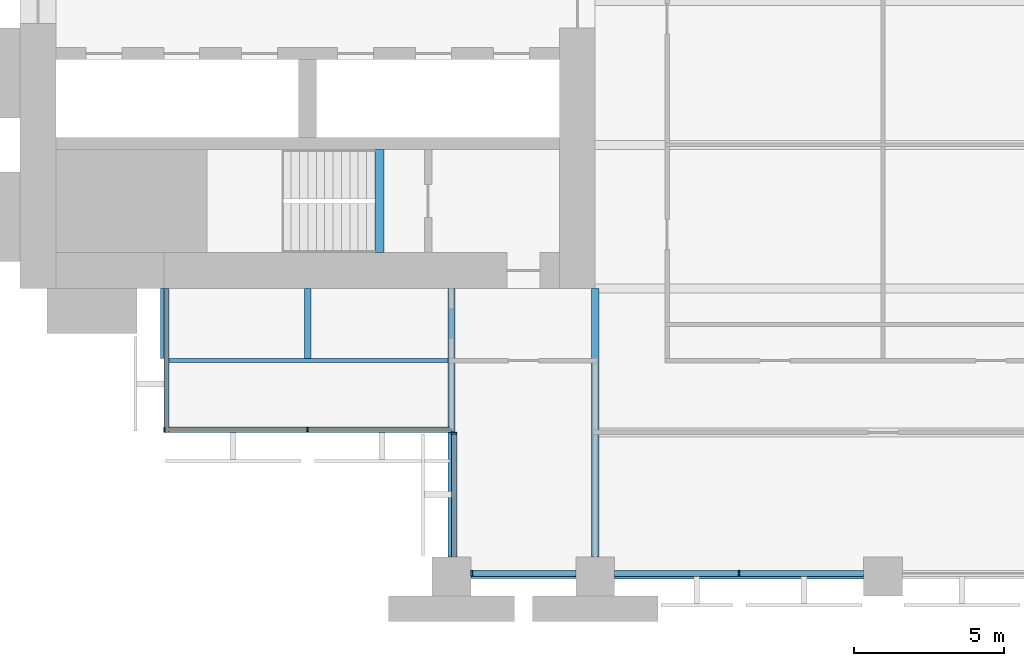
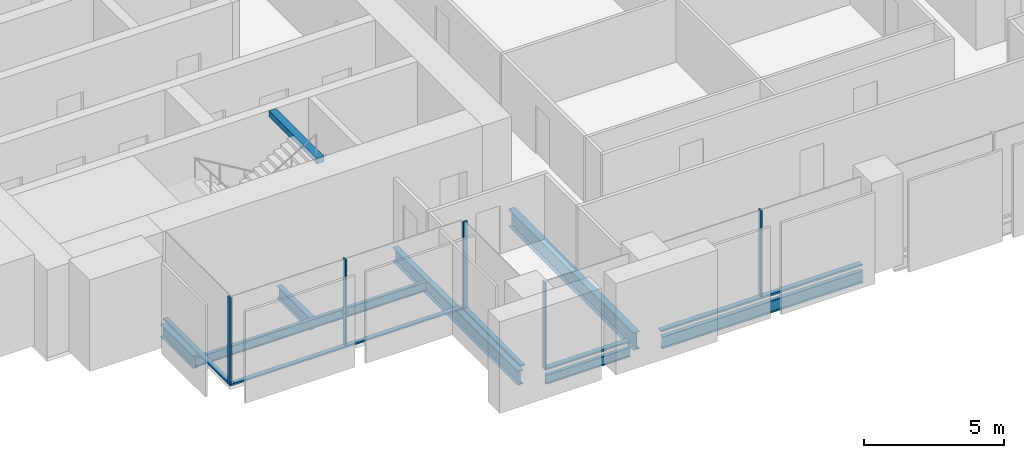
# One storey, part 2 of 14: 10 members, 8 beams, 4 elements without a shape of their own.
"""IFC4 building model written with IfcOpenShell, lengths in metres."""

import ifcopenshell
import ifcopenshell.guid

model = None  # the IFC model being written
_history = None  # IfcOwnerHistory: only IFC2X3 demands one
_inside = {}  # id of a spatial element -> (the spatial element, [elements in it])
_under = {}  # id of a project, library or spatial element -> (it, [spatial elements below it])
_declared = {}  # id of a project -> (the project, [libraries it declares])
_typed = {}  # id of a type object -> (the type object, [elements of that type])
_made_of = {}  # id of a material, layer set ... -> (it, [elements and type objects made of it])


def new_model(schema):
    """Start an empty IFC model of exactly this schema.

    Asked for "IFC4X3", IfcOpenShell would pick the latest addendum, in which some entities
    have other attributes; the version numbers below select the first issue.
    IFC2X3 requires an IfcOwnerHistory on every rooted entity: one is made here for all.
    """
    global model, _history
    if schema == "IFC4X3":
        model = ifcopenshell.file(schema_version=(4, 3, 0, 0))
    else:
        model = ifcopenshell.file(schema=schema)
    _inside.clear()
    _under.clear()
    _declared.clear()
    _typed.clear()
    _made_of.clear()
    _history = None
    if model.schema == "IFC2X3":
        org = make("IfcOrganization", Name="unknown")
        user = make(
            "IfcPersonAndOrganization",
            ThePerson=make("IfcPerson", FamilyName="unknown"),
            TheOrganization=org,
        )
        app = make(
            "IfcApplication",
            ApplicationDeveloper=org,
            Version="unknown",
            ApplicationFullName="unknown",
            ApplicationIdentifier="unknown",
        )
        _history = make(
            "IfcOwnerHistory",
            OwningUser=user,
            OwningApplication=app,
            ChangeAction="ADDED",
            CreationDate=0,
        )
    return model


def make(cls, **values):
    """One entity of the class cls with the attributes given. An attribute that is None is left unset."""
    return model.create_entity(
        cls, **{name: value for name, value in values.items() if value is not None}
    )


def rooted(cls, **values):
    """An entity with a GlobalId (a new one), such as an element, a storey or a relation."""
    return make(cls, GlobalId=ifcopenshell.guid.new(), OwnerHistory=_history, **values)


def si_unit(unit_type, name, prefix=None):
    """IfcSIUnit, for example si_unit("LENGTHUNIT", "METRE", prefix="MILLI")."""
    return make("IfcSIUnit", UnitType=unit_type, Prefix=prefix, Name=name)


def assignment(units):
    """IfcUnitAssignment: the units of a project."""
    return None if units is None else make("IfcUnitAssignment", Units=units)


def point(xyz):
    """IfcCartesianPoint."""
    return None if xyz is None else make("IfcCartesianPoint", Coordinates=xyz)


def direction(xyz):
    """IfcDirection."""
    return None if xyz is None else make("IfcDirection", DirectionRatios=xyz)


def frame(location, z_axis=None, x_axis=None):
    """IfcAxis2Placement3D, a coordinate frame: its origin and axes. An axis left out is left unset."""
    return make(
        "IfcAxis2Placement3D",
        Location=point(location),
        Axis=direction(z_axis),
        RefDirection=direction(x_axis),
    )


def frame_2d(location, x_axis=None):
    """IfcAxis2Placement2D, a coordinate frame in the plane: its origin and x axis."""
    return make(
        "IfcAxis2Placement2D", Location=point(location), RefDirection=direction(x_axis)
    )


def origin():
    """The frame at (0, 0, 0) with its axes left unset."""
    return frame((0.0, 0.0, 0.0))


def origin_2d():
    """The frame at (0, 0) in the plane with its x axis left unset."""
    return frame_2d((0.0, 0.0))


def place(relative_to, where):
    """IfcLocalPlacement: puts the frame where relative to a parent placement (None: the world)."""
    return make(
        "IfcLocalPlacement", PlacementRelTo=relative_to, RelativePlacement=where
    )


def context(
    kind, dimensions, precision=None, world=None, true_north=None, identifier=None
):
    """IfcGeometricRepresentationContext, for example the 3D "Model" context."""
    return make(
        "IfcGeometricRepresentationContext",
        ContextIdentifier=identifier,
        ContextType=kind,
        CoordinateSpaceDimension=dimensions,
        Precision=precision,
        WorldCoordinateSystem=world,
        TrueNorth=true_north,
    )


def subcontext(parent, identifier, kind, view, scale=None):
    """IfcGeometricRepresentationSubContext, for example "Body" below "Model"."""
    return make(
        "IfcGeometricRepresentationSubContext",
        ContextIdentifier=identifier,
        ContextType=kind,
        ParentContext=parent,
        TargetScale=scale,
        TargetView=view,
    )


def project(units=None, contexts=None):
    """IfcProject with its units and contexts."""
    return rooted(
        "IfcProject",
        Name="project",
        RepresentationContexts=contexts,
        UnitsInContext=assignment(units),
    )


def spatial(cls, under=None, at=None, **own):
    """A site, building, storey or space (cls), placed at a placement, below another one or the project."""
    s = rooted(cls, ObjectPlacement=at, **own)
    if under is not None:
        _under.setdefault(under.id(), (under, []))[1].append(s)
    return s


def profile(cls, at=None, kind="AREA", **sizes):
    """A parametric profile (cls). Its sizes go by their IFC names, for example OverallWidth=200.0."""
    return make(cls, ProfileType=kind, Position=at, **sizes)


def rectangle(**sizes):
    """IfcRectangleProfileDef."""
    return profile("IfcRectangleProfileDef", **sizes)


def i_section(**sizes):
    """IfcIShapeProfileDef."""
    return profile("IfcIShapeProfileDef", **sizes)


def extrude(swept, where, along, depth):
    """IfcExtrudedAreaSolid: the profile swept, set in the frame where, extruded along a direction by depth."""
    return make(
        "IfcExtrudedAreaSolid",
        SweptArea=swept,
        Position=where,
        ExtrudedDirection=direction(along),
        Depth=depth,
    )


def shape(context_of_items, identifier, shape_type, items):
    """IfcShapeRepresentation: the items that make up one representation, for example the "Body"."""
    return make(
        "IfcShapeRepresentation",
        ContextOfItems=context_of_items,
        RepresentationIdentifier=identifier,
        RepresentationType=shape_type,
        Items=items,
    )


def material(Name=None, Category=None):
    """IfcMaterial."""
    return make("IfcMaterial", Name=Name, Category=Category)


def material_profile(
    of_material, cross_section, Name=None, Category=None, Priority=None
):
    """IfcMaterialProfile: a cross section and its material."""
    return make(
        "IfcMaterialProfile",
        Name=Name,
        Material=of_material,
        Profile=cross_section,
        Priority=Priority,
        Category=Category,
    )


def profile_set(profiles, Name=None, composite=None):
    """IfcMaterialProfileSet."""
    return make(
        "IfcMaterialProfileSet",
        Name=Name,
        MaterialProfiles=profiles,
        CompositeProfile=composite,
    )


def made_of(thing, what):
    """Note that an element or type object is made of a material, layer set ...; save() writes the relation."""
    if what is not None:
        _made_of.setdefault(what.id(), (what, []))[1].append(thing)
    return thing


def type_object(cls, material=None, **own):
    """A type object (cls), such as IfcWallType, which elements share."""
    return made_of(rooted(cls, **own), material)


def element(
    cls,
    number,
    at=None,
    inside=None,
    cuts=None,
    type_object=None,
    material=None,
    context=None,
    identifier="Body",
    shape_type=None,
    held_by="IfcProductDefinitionShape",
    body=None,
    shapes=None,
    **own,
):
    """One element of the class cls, such as IfcWall. Its Tag is "e" and its number.

    at: its placement. inside: the storey or other place that contains it. cuts: it is an
    opening in that element (IfcRelVoidsElement). A single representation is given by context,
    identifier, shape_type and body (its items); several are given by shapes. held_by: the class
    of the entity that holds the representations. save() writes the other relations.
    """
    e = rooted(cls, Tag="e%d" % number, ObjectPlacement=at, **own)
    if body is not None:
        shapes = [shape(context, identifier, shape_type, body)]
    if shapes is not None:
        e.Representation = make(held_by, Representations=shapes)
    if inside is not None:
        _inside.setdefault(inside.id(), (inside, []))[1].append(e)
    if cuts is not None:
        rooted(
            "IfcRelVoidsElement", RelatingBuildingElement=cuts, RelatedOpeningElement=e
        )
    if type_object is not None:
        _typed.setdefault(type_object.id(), (type_object, []))[1].append(e)
    return made_of(e, material)


def aggregate(whole, parts):
    """IfcRelAggregates: a whole, such as a stair, and the parts it consists of."""
    return rooted("IfcRelAggregates", RelatingObject=whole, RelatedObjects=parts)


def save(model, path):
    """Write the relations noted so far, then the file.

    IfcRelAggregates (storeys below a building ...), IfcRelContainedInSpatialStructure (elements
    in a storey), IfcRelDefinesByType, IfcRelAssociatesMaterial and IfcRelDeclares: one each for
    every whole, place, type object, material and project.
    """
    for whole, parts in _under.values():
        aggregate(whole, parts)
    for where, things in _inside.values():
        rooted(
            "IfcRelContainedInSpatialStructure",
            RelatedElements=things,
            RelatingStructure=where,
        )
    for kind, things in _typed.values():
        rooted("IfcRelDefinesByType", RelatedObjects=things, RelatingType=kind)
    for what, things in _made_of.values():
        rooted("IfcRelAssociatesMaterial", RelatedObjects=things, RelatingMaterial=what)
    for by, libraries in _declared.values():
        rooted("IfcRelDeclares", RelatingContext=by, RelatedDefinitions=libraries)
    model.write(path)


model = new_model("IFC4")

# Units and contexts
model_context = context("Model", 3, precision=1e-05, world=origin(), true_north=direction((0.0, 1.0)))
body_context = subcontext(model_context, "Body", "Model", "MODEL_VIEW")
ifc_project = project(units=[si_unit("LENGTHUNIT", "METRE"), si_unit("AREAUNIT", "SQUARE_METRE"), si_unit("VOLUMEUNIT", "CUBIC_METRE"), si_unit("PLANEANGLEUNIT", "RADIAN"), si_unit("MASSUNIT", "GRAM", prefix="KILO")], contexts=[model_context])

# Site, building, storey
site_placement = place(None, origin())
site = spatial("IfcSite", under=ifc_project, at=site_placement, CompositionType="ELEMENT")
building_placement = place(site_placement, origin())
building = spatial("IfcBuilding", under=site, at=building_placement, Name="Baori Bourse Tower", CompositionType="ELEMENT")
storey_placement = place(building_placement, frame((0.0, 0.0, 79.0)))
storey = spatial("IfcBuildingStorey", under=building, at=storey_placement, Name="L17", CompositionType="ELEMENT", Elevation=79.0)

# Curtain wall, members
ifc_material_1 = material(Name="Pale anodised aluminium", Category="aluminium")
curtain_wall_type_1 = type_object("IfcCurtainWallType", Name="CW1 Curtain wall", PredefinedType="NOTDEFINED", material=ifc_material_1)
curtain_wall_1_placement = place(storey_placement, origin())
curtain_wall_1 = element("IfcCurtainWall", 1, at=curtain_wall_1_placement, inside=storey, type_object=curtain_wall_type_1, Name="Curtain wall CW1 L17 11", PredefinedType="NOTDEFINED")
ifc_material_2 = material(Name="Pale anodised aluminium", Category="aluminium")
ifc_material_profile_1 = material_profile(ifc_material_2, rectangle(XDim=0.199951171875, YDim=0.06005859375, at=origin_2d()), Name="Mullion 60x200")
ifc_profile_set_1 = profile_set([ifc_material_profile_1], Name="Pale anodised aluminium")
member_type_1 = type_object("IfcMemberType", Name="CW1 Curtain wall mullion", PredefinedType="MULLION", material=ifc_profile_set_1)
member_1_placement = place(storey_placement, frame((15.080078125, 0.10009765625, 0.080078125), z_axis=(0.0, 0.0, 1.0), x_axis=(0.0, 1.0, 0.0)))
member_1 = element("IfcMember", 2, at=member_1_placement, type_object=member_type_1, Name="Curtain wall CW1 mullion", PredefinedType="MULLION", context=body_context, shape_type="SweptSolid", body=[
    extrude(rectangle(XDim=0.199951171875, YDim=0.06005859375, at=origin_2d()), origin(), (0.0, 0.0, 1.0), 3.760009765625),
])
member_2_placement = place(storey_placement, frame((24.0, 0.10009765625, 0.080078125), z_axis=(0.0, 0.0, 1.0), x_axis=(0.0, 1.0, 0.0)))
member_2 = element("IfcMember", 3, at=member_2_placement, type_object=member_type_1, Name="Curtain wall CW1 mullion", PredefinedType="MULLION", context=body_context, shape_type="SweptSolid", body=[
    extrude(rectangle(XDim=0.199951171875, YDim=0.06005859375, at=origin_2d()), origin(), (0.0, 0.0, 1.0), 3.760009765625),
])
ifc_material_3 = material(Name="Pale anodised aluminium", Category="aluminium")
ifc_material_profile_2 = material_profile(ifc_material_3, rectangle(XDim=0.199951171875, YDim=0.080078125, at=origin_2d()), Name="Transom 80x200")
ifc_profile_set_2 = profile_set([ifc_material_profile_2], Name="Pale anodised aluminium")
member_type_2 = type_object("IfcMemberType", Name="CW1 Curtain wall transom", PredefinedType="USERDEFINED", material=ifc_profile_set_2)
member_3_placement = place(storey_placement, frame((15.050048828125, 0.10009765625, 0.0400390625), z_axis=(1.0, 0.0, 0.0), x_axis=(0.0, 1.0, 0.0)))
member_3 = element("IfcMember", 4, at=member_3_placement, type_object=member_type_2, Name="Curtain wall CW1 sill rail", ObjectType="TRANSOM", PredefinedType="USERDEFINED", context=body_context, shape_type="SweptSolid", body=[
    extrude(rectangle(XDim=0.199951171875, YDim=0.080078125, at=origin_2d()), origin(), (0.0, 0.0, 1.0), 3.5),
])
member_4_placement = place(storey_placement, frame((19.85009765625, 0.10009765625, 0.0400390625), z_axis=(1.0, 0.0, 0.0), x_axis=(0.0, 1.0, 0.0)))
member_4 = element("IfcMember", 5, at=member_4_placement, type_object=member_type_2, Name="Curtain wall CW1 sill rail", ObjectType="TRANSOM", PredefinedType="USERDEFINED", context=body_context, shape_type="SweptSolid", body=[
    extrude(rectangle(XDim=0.199951171875, YDim=0.080078125, at=origin_2d()), origin(), (0.0, 0.0, 1.0), 8.2998046875),
])
aggregate(curtain_wall_1, [member_3, member_1, member_4, member_2])

ifc_material_4 = material(Name="Pale anodised aluminium", Category="aluminium")
curtain_wall_type_2 = type_object("IfcCurtainWallType", Name="CW2 Curtain wall", PredefinedType="NOTDEFINED", material=ifc_material_4)
curtain_wall_2_placement = place(storey_placement, origin())
curtain_wall_2 = element("IfcCurtainWall", 6, at=curtain_wall_2_placement, inside=storey, type_object=curtain_wall_type_2, Name="Curtain wall CW2 L17 9", PredefinedType="NOTDEFINED")
ifc_material_5 = material(Name="Pale anodised aluminium", Category="aluminium")
ifc_material_profile_3 = material_profile(ifc_material_5, rectangle(XDim=0.179931640625, YDim=0.054931640625, at=origin_2d()), Name="Mullion 55x180")
ifc_profile_set_3 = profile_set([ifc_material_profile_3], Name="Pale anodised aluminium")
member_type_3 = type_object("IfcMemberType", Name="CW2 Curtain wall mullion", PredefinedType="MULLION", material=ifc_profile_set_3)
member_5_placement = place(storey_placement, frame((4.827392578125, 4.889892578125, 0.070068359375), z_axis=(0.0, 0.0, 1.0), x_axis=(0.0, 1.0, 0.0)))
member_5 = element("IfcMember", 7, at=member_5_placement, type_object=member_type_3, Name="Curtain wall CW2 mullion", PredefinedType="MULLION", context=body_context, shape_type="SweptSolid", body=[
    extrude(rectangle(XDim=0.179931640625, YDim=0.054931640625, at=origin_2d()), origin(), (0.0, 0.0, 1.0), 3.77001953125),
])
member_6_placement = place(storey_placement, frame((9.60009765625, 4.889892578125, 0.070068359375), z_axis=(0.0, 0.0, 1.0), x_axis=(0.0, 1.0, 0.0)))
member_6 = element("IfcMember", 8, at=member_6_placement, type_object=member_type_3, Name="Curtain wall CW2 mullion", PredefinedType="MULLION", context=body_context, shape_type="SweptSolid", body=[
    extrude(rectangle(XDim=0.179931640625, YDim=0.054931640625, at=origin_2d()), origin(), (0.0, 0.0, 1.0), 3.77001953125),
])

# Curtain wall, member
curtain_wall_3_placement = place(storey_placement, origin())
curtain_wall_3 = element("IfcCurtainWall", 9, at=curtain_wall_3_placement, inside=storey, type_object=curtain_wall_type_2, Name="Curtain wall CW2 L17 10", PredefinedType="NOTDEFINED")
member_7_placement = place(storey_placement, frame((14.489990234375, 4.7724609375, 0.070068359375), z_axis=(0.0, 0.0, 1.0), x_axis=(1.0, 0.0, 0.0)))
member_7 = element("IfcMember", 10, at=member_7_placement, type_object=member_type_3, Name="Curtain wall CW2 mullion", PredefinedType="MULLION", context=body_context, shape_type="SweptSolid", body=[
    extrude(rectangle(XDim=0.179931640625, YDim=0.054931640625, at=origin_2d()), origin(), (0.0, 0.0, 1.0), 3.77001953125),
])

curtain_wall_4_placement = place(storey_placement, origin())
curtain_wall_4 = element("IfcCurtainWall", 11, at=curtain_wall_4_placement, inside=storey, type_object=curtain_wall_type_2, Name="Curtain wall CW2 L17 8", PredefinedType="NOTDEFINED")
ifc_material_6 = material(Name="Pale anodised aluminium", Category="aluminium")
ifc_material_profile_4 = material_profile(ifc_material_6, rectangle(XDim=0.179931640625, YDim=0.070068359375, at=origin_2d()), Name="Transom 70x180")
ifc_profile_set_4 = profile_set([ifc_material_profile_4], Name="Pale anodised aluminium")
member_type_4 = type_object("IfcMemberType", Name="CW2 Curtain wall transom", PredefinedType="USERDEFINED", material=ifc_profile_set_4)
member_8_placement = place(storey_placement, frame((4.889892578125, 9.60009765625, 0.034912109375), z_axis=(0.0, -1.0, 0.0), x_axis=(1.0, 0.0, 0.0)))
member_8 = element("IfcMember", 12, at=member_8_placement, type_object=member_type_4, Name="Curtain wall CW2 sill rail", ObjectType="TRANSOM", PredefinedType="USERDEFINED", context=body_context, shape_type="SweptSolid", body=[
    extrude(rectangle(XDim=0.179931640625, YDim=0.070068359375, at=origin_2d()), origin(), (0.0, 0.0, 1.0), 4.800048828125),
])
aggregate(curtain_wall_4, [member_8])

# Member
member_9_placement = place(storey_placement, frame((4.800048828125, 4.889892578125, 0.034912109375), z_axis=(1.0, 0.0, 0.0), x_axis=(0.0, 1.0, 0.0)))
member_9 = element("IfcMember", 13, at=member_9_placement, type_object=member_type_4, Name="Curtain wall CW2 sill rail", ObjectType="TRANSOM", PredefinedType="USERDEFINED", context=body_context, shape_type="SweptSolid", body=[
    extrude(rectangle(XDim=0.179931640625, YDim=0.070068359375, at=origin_2d()), origin(), (0.0, 0.0, 1.0), 9.599853515625),
])

aggregate(curtain_wall_2, [member_9, member_5, member_6])

member_10_placement = place(storey_placement, frame((14.489990234375, 4.800048828125, 0.034912109375), z_axis=(0.0, -1.0, 0.0), x_axis=(1.0, 0.0, 0.0)))
member_10 = element("IfcMember", 14, at=member_10_placement, type_object=member_type_4, Name="Curtain wall CW2 sill rail", ObjectType="TRANSOM", PredefinedType="USERDEFINED", context=body_context, shape_type="SweptSolid", body=[
    extrude(rectangle(XDim=0.179931640625, YDim=0.070068359375, at=origin_2d()), origin(), (0.0, 0.0, 1.0), 4.150146484375),
])

aggregate(curtain_wall_3, [member_10, member_7])

# Beams
ifc_material_7 = material(Name="Steel A992 Gr 50", Category="steel")
ifc_material_profile_5 = material_profile(ifc_material_7, i_section(OverallWidth=0.21240234375, OverallDepth=0.54345703125, WebThickness=0.01318359375, FlangeThickness=0.021240234375, at=origin_2d()), Name="W21x83")
ifc_profile_set_5 = profile_set([ifc_material_profile_5], Name="Steel A992 Gr 50")
beam_type_1 = type_object("IfcBeamType", Name="Core bracket W21x83", PredefinedType="BEAM", material=ifc_profile_set_5)
for number, where, z_axis, x_axis, name in (
    (15, (4.800048828125, 7.270263671875, -0.431884765625), (0.0, 1.0, 0.0), (-1.0, 0.0, 0.0), "Core bracket L17"),
    (16, (9.60009765625, 7.270263671875, -0.431884765625), (0.0, 1.0, 0.0), (-1.0, 0.0, 0.0), "Core bracket L17"),
):
    element("IfcBeam", number, at=place(storey_placement, frame(where, z_axis=z_axis, x_axis=x_axis)), inside=storey, type_object=beam_type_1, Name=name, PredefinedType="BEAM", context=body_context, shape_type="SweptSolid", body=[
        extrude(i_section(OverallWidth=0.21240234375, OverallDepth=0.54345703125, WebThickness=0.01318359375, FlangeThickness=0.021240234375, at=origin_2d()), origin(), (0.0, 0.0, 1.0), 2.329833984375),
    ])
ifc_material_8 = material(Name="Steel A992 Gr 50", Category="steel")
ifc_material_profile_6 = material_profile(ifc_material_8, i_section(OverallWidth=0.140380859375, OverallDepth=0.40380859375, WebThickness=0.007080078125, FlangeThickness=0.01123046875, at=origin_2d()), Name="W16x31")
ifc_profile_set_6 = profile_set([ifc_material_profile_6], Name="Steel A992 Gr 50")
beam_type_2 = type_object("IfcBeamType", Name="Edge beam W16x31", PredefinedType="BEAM", material=ifc_profile_set_6)
beam_1_placement = place(storey_placement, frame((15.050048828125, 0.0, -0.36181640625), z_axis=(1.0, 0.0, 0.0), x_axis=(0.0, 1.0, 0.0)))
element("IfcBeam", 17, at=beam_1_placement, inside=storey, type_object=beam_type_2, Name="Edge beam L17", PredefinedType="BEAM", context=body_context, shape_type="SweptSolid", body=[
    extrude(i_section(OverallWidth=0.140380859375, OverallDepth=0.40380859375, WebThickness=0.007080078125, FlangeThickness=0.01123046875, at=origin_2d()), origin(), (0.0, 0.0, 1.0), 3.5),
])
ifc_material_9 = material(Name="Steel A992 Gr 50", Category="steel")
ifc_material_profile_7 = material_profile(ifc_material_9, i_section(OverallWidth=0.1650390625, OverallDepth=0.52587890625, WebThickness=0.0087890625, FlangeThickness=0.011474609375, at=origin_2d()), Name="W21x44")
ifc_profile_set_7 = profile_set([ifc_material_profile_7], Name="Steel A992 Gr 50")
beam_type_3 = type_object("IfcBeamType", Name="Edge beam W21x44", PredefinedType="BEAM", material=ifc_profile_set_7)
beam_2_placement = place(storey_placement, frame((19.85009765625, 0.0, -0.4228515625), z_axis=(1.0, 0.0, 0.0), x_axis=(0.0, 1.0, 0.0)))
element("IfcBeam", 18, at=beam_2_placement, inside=storey, type_object=beam_type_3, Name="Edge beam L17", PredefinedType="BEAM", context=body_context, shape_type="SweptSolid", body=[
    extrude(i_section(OverallWidth=0.1650390625, OverallDepth=0.52587890625, WebThickness=0.0087890625, FlangeThickness=0.011474609375, at=origin_2d()), origin(), (0.0, 0.0, 1.0), 8.2998046875),
])
ifc_material_10 = material(Name="Steel A992 Gr 50", Category="steel")
ifc_material_profile_8 = material_profile(ifc_material_10, i_section(OverallWidth=0.22900390625, OverallDepth=0.612060546875, WebThickness=0.011962890625, FlangeThickness=0.01953125, at=origin_2d()), Name="W24x84")
ifc_profile_set_8 = profile_set([ifc_material_profile_8], Name="Steel A992 Gr 50")
beam_type_4 = type_object("IfcBeamType", Name="Floor beam W24x84", PredefinedType="BEAM", material=ifc_profile_set_8)
beam_3_placement = place(storey_placement, frame((14.39990234375, 0.64990234375, -0.466064453125), z_axis=(0.0, 1.0, 0.0), x_axis=(-1.0, 0.0, 0.0)))
element("IfcBeam", 19, at=beam_3_placement, inside=storey, type_object=beam_type_4, Name="Floor beam L17", PredefinedType="BEAM", context=body_context, shape_type="SweptSolid", body=[
    extrude(i_section(OverallWidth=0.22900390625, OverallDepth=0.612060546875, WebThickness=0.011962890625, FlangeThickness=0.01953125, at=origin_2d()), origin(), (0.0, 0.0, 1.0), 8.9501953125),
])
ifc_material_11 = material(Name="Steel A992 Gr 50", Category="steel")
ifc_material_profile_9 = material_profile(ifc_material_11, i_section(OverallWidth=0.2666015625, OverallDepth=0.7568359375, WebThickness=0.013916015625, FlangeThickness=0.019287109375, at=origin_2d()), Name="W30x108")
ifc_profile_set_9 = profile_set([ifc_material_profile_9], Name="Steel A992 Gr 50")
beam_type_5 = type_object("IfcBeamType", Name="Girder W30x108", PredefinedType="BEAM", material=ifc_profile_set_9)
beam_4_placement = place(storey_placement, frame((19.199951171875, 0.64990234375, -0.53857421875), z_axis=(0.0, 1.0, 0.0), x_axis=(-1.0, 0.0, 0.0)))
element("IfcBeam", 20, at=beam_4_placement, inside=storey, type_object=beam_type_5, Name="Girder L17", PredefinedType="BEAM", context=body_context, shape_type="SweptSolid", body=[
    extrude(i_section(OverallWidth=0.2666015625, OverallDepth=0.7568359375, WebThickness=0.013916015625, FlangeThickness=0.019287109375, at=origin_2d()), origin(), (0.0, 0.0, 1.0), 8.9501953125),
])
ifc_material_12 = material(Name="Concrete f'c 50 MPa", Category="concrete")
ifc_material_profile_10 = material_profile(ifc_material_12, rectangle(XDim=0.300048828125, YDim=0.25, at=origin_2d()), Name="RC 300x250")
ifc_profile_set_10 = profile_set([ifc_material_profile_10], Name="Concrete f'c 50 MPa")
beam_type_6 = type_object("IfcBeamType", Name="Stair nib beam RC 300x250", PredefinedType="BEAM", material=ifc_profile_set_10)
beam_5_placement = place(storey_placement, frame((12.0, 10.800048828125, 3.715087890625), z_axis=(0.0, 1.0, 0.0), x_axis=(-1.0, 0.0, 0.0)))
element("IfcBeam", 21, at=beam_5_placement, inside=storey, type_object=beam_type_6, Name="Stair WA nib beam L18", PredefinedType="BEAM", context=body_context, shape_type="SweptSolid", body=[
    extrude(rectangle(XDim=0.300048828125, YDim=0.25, at=origin_2d()), origin(), (0.0, 0.0, 1.0), 3.449951171875),
])
ifc_material_13 = material(Name="Steel A992 Gr 50", Category="steel")
ifc_material_profile_11 = material_profile(ifc_material_13, i_section(OverallWidth=0.140380859375, OverallDepth=0.40380859375, WebThickness=0.007080078125, FlangeThickness=0.01123046875, at=origin_2d()), Name="W16x31")
ifc_profile_set_11 = profile_set([ifc_material_profile_11], Name="Steel A992 Gr 50")
beam_type_7 = type_object("IfcBeamType", Name="Trimmer beam W16x31", PredefinedType="BEAM", material=ifc_profile_set_11)
beam_6_placement = place(storey_placement, frame((4.800048828125, 7.199951171875, -0.36181640625), z_axis=(1.0, 0.0, 0.0), x_axis=(0.0, 1.0, 0.0)))
element("IfcBeam", 22, at=beam_6_placement, inside=storey, type_object=beam_type_7, Name="Trimmer beam L17", PredefinedType="BEAM", context=body_context, shape_type="SweptSolid", body=[
    extrude(i_section(OverallWidth=0.140380859375, OverallDepth=0.40380859375, WebThickness=0.007080078125, FlangeThickness=0.01123046875, at=origin_2d()), origin(), (0.0, 0.0, 1.0), 9.4853515625),
])

save(model, "model.ifc")
